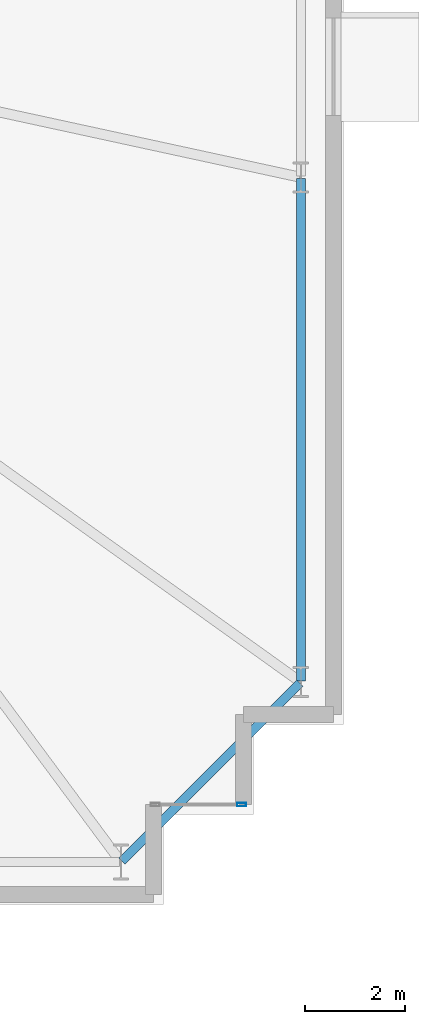
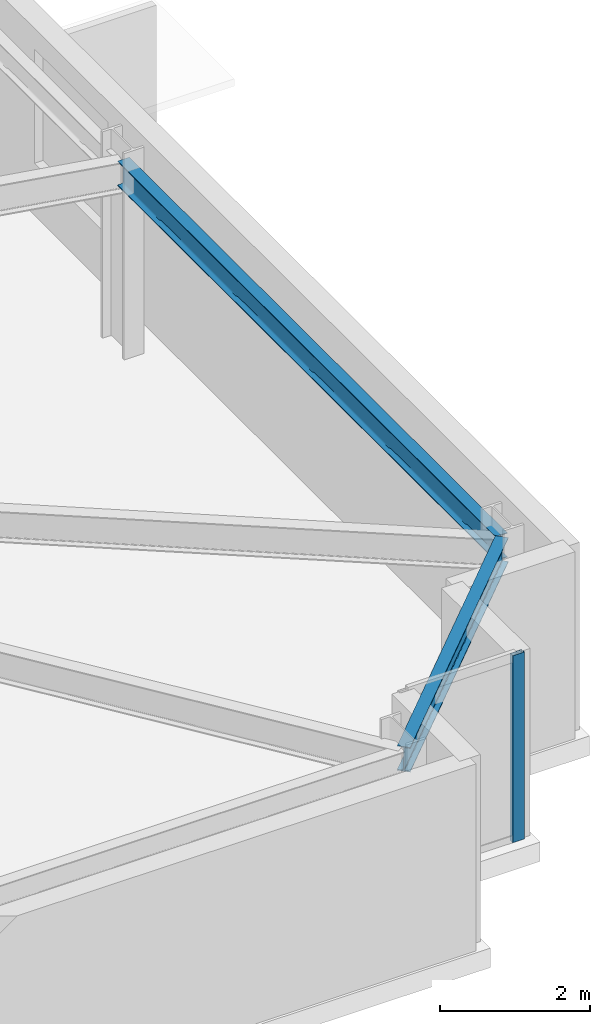
# One storey, part 14 of 24: 2 beams, 1 member, 1 element without a shape of its own.
"""IFC4 building model written with IfcOpenShell, lengths in metres."""

from ifc_helpers import new_model, si_unit, direction, frame, origin, origin_2d, place, context, subcontext, project, spatial, hollow_rectangle, i_section, extrude, material, layer, layer_set, material_profile, profile_set, type_object, element, aggregate, save


model = new_model("IFC4")

# Units and contexts
model_context = context("Model", 3, precision=1e-05, world=origin(), true_north=direction((0.0, 1.0)))
body_context = subcontext(model_context, "Body", "Model", "MODEL_VIEW")
ifc_project = project(units=[si_unit("LENGTHUNIT", "METRE"), si_unit("AREAUNIT", "SQUARE_METRE"), si_unit("VOLUMEUNIT", "CUBIC_METRE"), si_unit("PLANEANGLEUNIT", "RADIAN"), si_unit("MASSUNIT", "GRAM", prefix="KILO")], contexts=[model_context])

# Site, building, storey
site_placement = place(None, origin())
site = spatial("IfcSite", under=ifc_project, at=site_placement, CompositionType="ELEMENT")
building_placement = place(site_placement, origin())
building = spatial("IfcBuilding", under=site, at=building_placement, Name="Qobustan Lattice House", CompositionType="ELEMENT")
storey_placement = place(building_placement, frame((0.0, 0.0, 50.449951171875)))
storey = spatial("IfcBuildingStorey", under=building, at=storey_placement, Name="L13", CompositionType="ELEMENT", Elevation=50.449951171875)

# Beams
ifc_material_1 = material(Name="Steel S355", Category="steel")
ifc_material_profile_1 = material_profile(ifc_material_1, i_section(OverallWidth=0.179931640625, OverallDepth=0.39990234375, WebThickness=0.008544921875, FlangeThickness=0.013427734375, FilletRadius=0.02099609375, at=origin_2d()), Name="IPE400")
ifc_profile_set_1 = profile_set([ifc_material_profile_1], Name="Steel S355")
beam_type = type_object("IfcBeamType", Name="BM-SPD-IPE400", PredefinedType="SPANDREL", material=ifc_profile_set_1)
beam_1_placement = place(storey_placement, frame((28.567626953125, -18.732421875, 2.8349609375), z_axis=(0.707106781187, 0.707106781187, 0.0), x_axis=(-0.707106781187, 0.707106781187, 0.0)))
element("IfcBeam", 1, at=beam_1_placement, inside=storey, type_object=beam_type, Name="L13 perimeter spandrel S7-E1", PredefinedType="SPANDREL", context=body_context, shape_type="SweptSolid", body=[
    extrude(i_section(OverallWidth=0.179931640625, OverallDepth=0.39990234375, WebThickness=0.008544921875, FlangeThickness=0.013427734375, FilletRadius=0.02099609375, at=origin_2d()), origin(), (0.0, 0.0, 1.0), 5.041259765625),
])
beam_2_placement = place(storey_placement, frame((32.14990234375, -15.125, 2.8349609375), z_axis=(0.0, 1.0, 0.0), x_axis=(-1.0, 0.0, 0.0)))
element("IfcBeam", 2, at=beam_2_placement, inside=storey, type_object=beam_type, Name="L13 perimeter spandrel E1-E2", PredefinedType="SPANDREL", context=body_context, shape_type="SweptSolid", body=[
    extrude(i_section(OverallWidth=0.179931640625, OverallDepth=0.39990234375, WebThickness=0.008544921875, FlangeThickness=0.013427734375, FilletRadius=0.02099609375, at=origin_2d()), origin(), (0.0, 0.0, 1.0), 10.050048828125),
])

# Curtain wall, member
ifc_material_2 = material(Name="Anodised aluminium and low-E glazing", Category="aluminium")
ifc_layer = layer(ifc_material_2, 0.219970703125)
ifc_layer_set = layer_set([ifc_layer], Name="Anodised aluminium and low-E glazing")
curtain_wall_type = type_object("IfcCurtainWallType", Name="CW-FAC-01", PredefinedType="USERDEFINED", material=ifc_layer_set)
curtain_wall_placement = place(storey_placement, origin())
curtain_wall = element("IfcCurtainWall", 3, at=curtain_wall_placement, inside=storey, type_object=curtain_wall_type, Name="L13 serrated corner faceted glazing 18", ObjectType="CURTAIN WALL", PredefinedType="USERDEFINED")
ifc_material_3 = material(Name="Anodised aluminium EN AW-6063 T6", Category="aluminium")
ifc_material_profile_2 = material_profile(ifc_material_3, hollow_rectangle(XDim=0.070068359375, YDim=0.179931640625, WallThickness=0.00439453125, at=origin_2d()), Name="CWM-180x70")
ifc_profile_set_2 = profile_set([ifc_material_profile_2], Name="Anodised aluminium EN AW-6063 T6")
member_type = type_object("IfcMemberType", Name="CWM-STD-180", PredefinedType="MULLION", material=ifc_profile_set_2)
member_placement = place(storey_placement, frame((30.965087890625, -17.60009765625, 0.0), z_axis=(0.0, 0.0, 1.0), x_axis=(0.0, -1.0, 0.0)))
member = element("IfcMember", 4, at=member_placement, type_object=member_type, Name="CW-F1 mullion 1", PredefinedType="MULLION", context=body_context, shape_type="SweptSolid", body=[
    extrude(hollow_rectangle(XDim=0.070068359375, YDim=0.179931640625, WallThickness=0.00439453125, at=origin_2d()), origin(), (0.0, 0.0, 1.0), 3.03515625),
])
aggregate(curtain_wall, [member])

save(model, "model.ifc")
